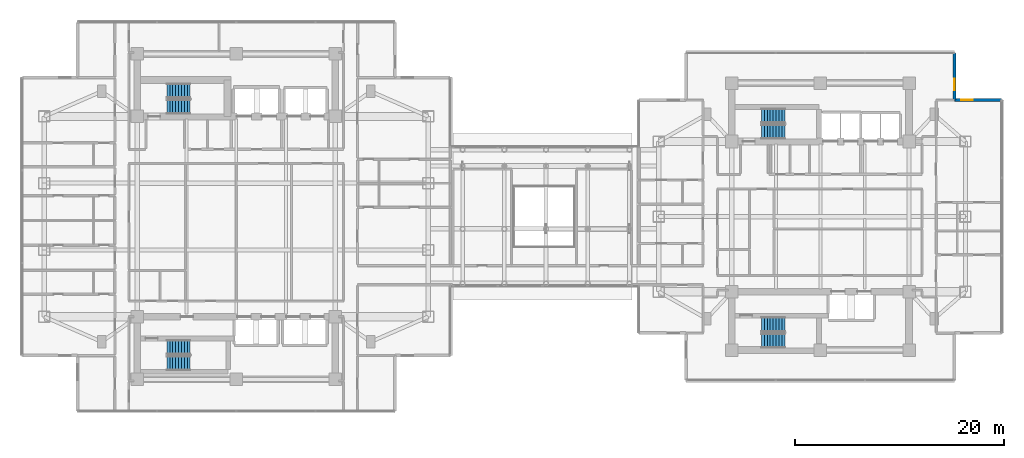
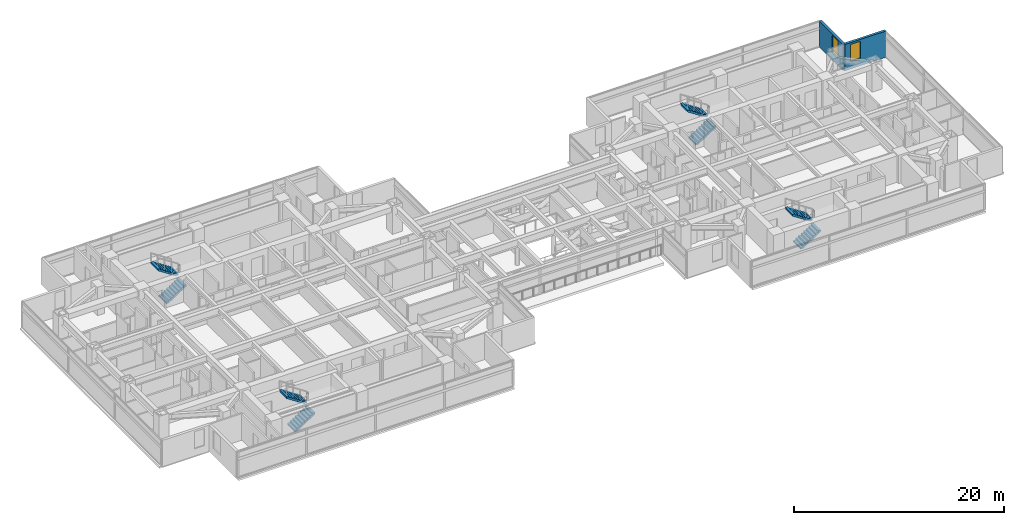
# One storey, part 22 of 28: 8 stair flights, 2 walls, 2 windows, 2 openings, 4 elements without a shape of their own.
"""IFC4 building model written with IfcOpenShell, lengths in metres."""

from ifc_helpers import new_model, si_unit, direction, frame, frame_2d, origin, place, context, subcontext, project, spatial, polyline, rectangle, outline, extrude, material, layer, layer_set, type_object, element, fill, aggregate, save


model = new_model("IFC4")

# Units and contexts
model_context = context("Model", 3, precision=1e-05, world=origin(), true_north=direction((0.0, 1.0)))
body_context = subcontext(model_context, "Body", "Model", "MODEL_VIEW")
ifc_project = project(units=[si_unit("LENGTHUNIT", "METRE"), si_unit("AREAUNIT", "SQUARE_METRE"), si_unit("VOLUMEUNIT", "CUBIC_METRE"), si_unit("PLANEANGLEUNIT", "RADIAN"), si_unit("MASSUNIT", "GRAM", prefix="KILO")], contexts=[model_context])

# Site, building, storey
site_placement = place(None, origin())
site = spatial("IfcSite", under=ifc_project, at=site_placement, CompositionType="ELEMENT")
building_placement = place(site_placement, origin())
building = spatial("IfcBuilding", under=site, at=building_placement, Name="Mirazonda Arch Towers", CompositionType="ELEMENT")
storey_placement = place(building_placement, frame((0.0, 0.0, 91.699951171875)))
storey = spatial("IfcBuildingStorey", under=building, at=storey_placement, Name="L25", CompositionType="ELEMENT", Elevation=91.699951171875)

# Wall, opening, window
ifc_material_1 = material(Name="Precast Concrete C40/50", Category="concrete")
ifc_layer = layer(ifc_material_1, 0.280029296875, Name="WALL-EXT-WALL-280")
ifc_layer_set = layer_set([ifc_layer], Name="Precast Concrete C40/50")
wall_type = type_object("IfcWallType", Name="WALL-EXT-WALL-280", PredefinedType="SOLIDWALL", material=ifc_layer_set)
wall_1_placement = place(storey_placement, frame((89.3642578125, 39.16455078125, 0.0), z_axis=(0.0, 0.0, 1.0), x_axis=(0.0, 1.0, 0.0)))
wall_1 = element("IfcWall", 1, at=wall_1_placement, inside=storey, type_object=wall_type, Name="L25 T2 Notched NE Corner Wall WL-L25-T2-CNE", PredefinedType="SOLIDWALL", context=body_context, shape_type="SweptSolid", body=[
    extrude(rectangle(XDim=4.516357421875, YDim=0.280029296875, at=frame_2d((2.25830078125, 0.0))), origin(), (0.0, 0.0, 1.0), 3.06005859375),
])
opening_1_placement = place(wall_1_placement, frame((0.949951171875, 0.0, 0.85009765625)))
opening_1 = element("IfcOpeningElement", 2, at=opening_1_placement, cuts=wall_1, Name="Opening WN-108", PredefinedType="OPENING", context=body_context, shape_type="SweptSolid", body=[
    extrude(rectangle(XDim=1.10009765625, YDim=2.0, at=frame_2d((0.550048828125, 1.0))), frame((0.0, 0.14990234375, 0.0), z_axis=(0.0, -1.0, 0.0), x_axis=(1.0, 0.0, 0.0)), (0.0, 0.0, 1.0), 0.300048828125),
])
ifc_material_2 = material(Name="Insulated Low-E Solar Glass", Category="glass")
window_type = type_object("IfcWindowType", Name="WIN-NOTCH-1100x2000", PartitioningType="SINGLE_PANEL", PredefinedType="WINDOW", material=ifc_material_2)
window_1_placement = place(opening_1_placement, origin())
window_1 = element("IfcWindow", 3, at=window_1_placement, inside=storey, type_object=window_type, Name="L25 Punched Facade Window WN-L25-T2-CNE", OverallHeight=2.0, OverallWidth=1.10009765625, PartitioningType="SINGLE_PANEL", PredefinedType="WINDOW", context=body_context, shape_type="SweptSolid", body=[
    extrude(rectangle(XDim=1.10009765625, YDim=2.0, at=frame_2d((0.550048828125, 1.0))), frame((0.0, 0.030029296875, 0.0), z_axis=(0.0, -1.0, 0.0), x_axis=(1.0, 0.0, 0.0)), (0.0, 0.0, 1.0), 0.06005859375),
])
fill(opening_1, window_1)

wall_2_placement = place(storey_placement, frame((93.880615234375, 39.16455078125, 0.0), z_axis=(0.0, 0.0, 1.0), x_axis=(-1.0, 0.0, 0.0)))
wall_2 = element("IfcWall", 4, at=wall_2_placement, inside=storey, type_object=wall_type, Name="L25 T2 Corner Notch Return Wall WL-L25-T2-CNE2", PredefinedType="SOLIDWALL", context=body_context, shape_type="SweptSolid", body=[
    extrude(rectangle(XDim=4.516357421875, YDim=0.280029296875, at=frame_2d((2.25830078125, 0.0))), origin(), (0.0, 0.0, 1.0), 3.06005859375),
])
opening_2_placement = place(wall_2_placement, frame((2.76611328125, 0.0, 0.85009765625)))
opening_2 = element("IfcOpeningElement", 5, at=opening_2_placement, cuts=wall_2, Name="Opening WN-108", PredefinedType="OPENING", context=body_context, shape_type="SweptSolid", body=[
    extrude(rectangle(XDim=1.10009765625, YDim=2.0, at=frame_2d((0.550048828125, 1.0))), frame((0.0, 0.14990234375, 0.0), z_axis=(0.0, -1.0, 0.0), x_axis=(1.0, 0.0, 0.0)), (0.0, 0.0, 1.0), 0.300048828125),
])
window_2_placement = place(opening_2_placement, origin())
window_2 = element("IfcWindow", 6, at=window_2_placement, inside=storey, type_object=window_type, Name="L25 Punched Facade Window WN-L25-T2-CNE2", OverallHeight=2.0, OverallWidth=1.10009765625, PartitioningType="SINGLE_PANEL", PredefinedType="WINDOW", context=body_context, shape_type="SweptSolid", body=[
    extrude(rectangle(XDim=1.10009765625, YDim=2.0, at=frame_2d((0.550048828125, 1.0))), frame((0.0, 0.030029296875, 0.0), z_axis=(0.0, -1.0, 0.0), x_axis=(1.0, 0.0, 0.0)), (0.0, 0.0, 1.0), 0.06005859375),
])
fill(opening_2, window_2)

# Stair, stair flights
ifc_material_3 = material(Name="Concrete C40/50", Category="concrete")
stair_type = type_object("IfcStairType", Name="STAIR-CORE-1400", PredefinedType="HALF_TURN_STAIR", material=ifc_material_3)
stair_1_placement = place(storey_placement, origin())
stair_1 = element("IfcStair", 7, at=stair_1_placement, inside=storey, type_object=stair_type, Name="L25 Protected Exit Stair ST-T1N", PredefinedType="HALF_TURN_STAIR")
stair_flight_type = type_object("IfcStairFlightType", Name="FLIGHT-1400", PredefinedType="STRAIGHT", material=ifc_material_3)
stair_flight_1_placement = place(storey_placement, frame((13.85009765625, 38.52001953125, 0.0), z_axis=(0.0, 0.0, 1.0), x_axis=(1.0, 0.0, 0.0)))
stair_flight_1 = element("IfcStairFlight", 8, at=stair_flight_1_placement, type_object=stair_flight_type, Name="ST-T1N flight 1", NumberOfRisers=9, NumberOfTreads=8, PredefinedType="STRAIGHT", RiserHeight=0.183333333, TreadLength=0.28, context=body_context, shape_type="SweptSolid", body=[
    extrude(outline(polyline([(0.0, 0.0), (0.0, 0.183349609375), (0.280029296875, 0.183349609375), (0.280029296875, 0.36669921875), (0.56005859375, 0.36669921875), (0.56005859375, 0.550048828125), (0.840087890625, 0.550048828125), (0.840087890625, 0.7333984375), (1.1201171875, 0.7333984375), (1.1201171875, 0.916748046875), (1.39990234375, 0.916748046875), (1.39990234375, 1.10009765625), (1.679931640625, 1.10009765625), (1.679931640625, 1.283447265625), (1.9599609375, 1.283447265625), (1.9599609375, 1.466552734375), (2.239990234375, 1.466552734375), (2.239990234375, 1.64990234375), (2.239990234375, 1.275634765625), (0.2919921875, 0.0), (0.0, 0.0)])), frame((0.0, 0.699951171875, 0.0), z_axis=(0.0, -1.0, 0.0), x_axis=(1.0, 0.0, 0.0)), (0.0, 0.0, 1.0), 1.39990234375),
])
stair_flight_2_placement = place(storey_placement, frame((16.090087890625, 40.06005859375, 1.650146484375), z_axis=(0.0, 0.0, 1.0), x_axis=(-1.0, 0.0, 0.0)))
stair_flight_2 = element("IfcStairFlight", 9, at=stair_flight_2_placement, type_object=stair_flight_type, Name="ST-T1N flight 2", NumberOfRisers=9, NumberOfTreads=8, PredefinedType="STRAIGHT", RiserHeight=0.183333333, TreadLength=0.28, context=body_context, shape_type="SweptSolid", body=[
    extrude(outline(polyline([(0.0, 0.0), (0.0, 0.183349609375), (0.280029296875, 0.183349609375), (0.280029296875, 0.36669921875), (0.56005859375, 0.36669921875), (0.56005859375, 0.550048828125), (0.840087890625, 0.550048828125), (0.840087890625, 0.7333984375), (1.1201171875, 0.7333984375), (1.1201171875, 0.916748046875), (1.39990234375, 0.916748046875), (1.39990234375, 1.10009765625), (1.679931640625, 1.10009765625), (1.679931640625, 1.283447265625), (1.9599609375, 1.283447265625), (1.9599609375, 1.466552734375), (2.239990234375, 1.466552734375), (2.239990234375, 1.64990234375), (2.239990234375, 1.275634765625), (0.2919921875, 0.0), (0.0, 0.0)])), frame((0.0, 0.699951171875, 0.0), z_axis=(0.0, -1.0, 0.0), x_axis=(1.0, 0.0, 0.0)), (0.0, 0.0, 1.0), 1.39990234375),
])
aggregate(stair_1, [stair_flight_1, stair_flight_2])

stair_2_placement = place(storey_placement, origin())
stair_2 = element("IfcStair", 10, at=stair_2_placement, inside=storey, type_object=stair_type, Name="L25 Protected Exit Stair ST-T1S", PredefinedType="HALF_TURN_STAIR")
stair_flight_3_placement = place(storey_placement, frame((13.85009765625, 13.949951171875, 0.0), z_axis=(0.0, 0.0, 1.0), x_axis=(1.0, 0.0, 0.0)))
stair_flight_3 = element("IfcStairFlight", 11, at=stair_flight_3_placement, type_object=stair_flight_type, Name="ST-T1S flight 1", NumberOfRisers=9, NumberOfTreads=8, PredefinedType="STRAIGHT", RiserHeight=0.183333333, TreadLength=0.28, context=body_context, shape_type="SweptSolid", body=[
    extrude(outline(polyline([(0.0, 0.0), (0.0, 0.183349609375), (0.280029296875, 0.183349609375), (0.280029296875, 0.36669921875), (0.56005859375, 0.36669921875), (0.56005859375, 0.550048828125), (0.840087890625, 0.550048828125), (0.840087890625, 0.7333984375), (1.1201171875, 0.7333984375), (1.1201171875, 0.916748046875), (1.39990234375, 0.916748046875), (1.39990234375, 1.10009765625), (1.679931640625, 1.10009765625), (1.679931640625, 1.283447265625), (1.9599609375, 1.283447265625), (1.9599609375, 1.466552734375), (2.239990234375, 1.466552734375), (2.239990234375, 1.64990234375), (2.239990234375, 1.275634765625), (0.2919921875, 0.0), (0.0, 0.0)])), frame((0.0, 0.699951171875, 0.0), z_axis=(0.0, -1.0, 0.0), x_axis=(1.0, 0.0, 0.0)), (0.0, 0.0, 1.0), 1.39990234375),
])
stair_flight_4_placement = place(storey_placement, frame((16.090087890625, 15.489990234375, 1.650146484375), z_axis=(0.0, 0.0, 1.0), x_axis=(-1.0, 0.0, 0.0)))
stair_flight_4 = element("IfcStairFlight", 12, at=stair_flight_4_placement, type_object=stair_flight_type, Name="ST-T1S flight 2", NumberOfRisers=9, NumberOfTreads=8, PredefinedType="STRAIGHT", RiserHeight=0.183333333, TreadLength=0.28, context=body_context, shape_type="SweptSolid", body=[
    extrude(outline(polyline([(0.0, 0.0), (0.0, 0.183349609375), (0.280029296875, 0.183349609375), (0.280029296875, 0.36669921875), (0.56005859375, 0.36669921875), (0.56005859375, 0.550048828125), (0.840087890625, 0.550048828125), (0.840087890625, 0.7333984375), (1.1201171875, 0.7333984375), (1.1201171875, 0.916748046875), (1.39990234375, 0.916748046875), (1.39990234375, 1.10009765625), (1.679931640625, 1.10009765625), (1.679931640625, 1.283447265625), (1.9599609375, 1.283447265625), (1.9599609375, 1.466552734375), (2.239990234375, 1.466552734375), (2.239990234375, 1.64990234375), (2.239990234375, 1.275634765625), (0.2919921875, 0.0), (0.0, 0.0)])), frame((0.0, 0.699951171875, 0.0), z_axis=(0.0, -1.0, 0.0), x_axis=(1.0, 0.0, 0.0)), (0.0, 0.0, 1.0), 1.39990234375),
])
aggregate(stair_2, [stair_flight_3, stair_flight_4])

stair_3_placement = place(storey_placement, origin())
stair_3 = element("IfcStair", 13, at=stair_3_placement, inside=storey, type_object=stair_type, Name="L25 Protected Exit Stair ST-T2N", PredefinedType="HALF_TURN_STAIR")
stair_flight_5_placement = place(storey_placement, frame((70.85009765625, 36.1201171875, 0.0), z_axis=(0.0, 0.0, 1.0), x_axis=(1.0, 0.0, 0.0)))
stair_flight_5 = element("IfcStairFlight", 14, at=stair_flight_5_placement, type_object=stair_flight_type, Name="ST-T2N flight 1", NumberOfRisers=9, NumberOfTreads=8, PredefinedType="STRAIGHT", RiserHeight=0.183333333, TreadLength=0.28, context=body_context, shape_type="SweptSolid", body=[
    extrude(outline(polyline([(0.0, 0.0), (0.0, 0.183349609375), (0.280029296875, 0.183349609375), (0.280029296875, 0.36669921875), (0.56005859375, 0.36669921875), (0.56005859375, 0.550048828125), (0.840087890625, 0.550048828125), (0.840087890625, 0.7333984375), (1.1201171875, 0.7333984375), (1.1201171875, 0.916748046875), (1.39990234375, 0.916748046875), (1.39990234375, 1.10009765625), (1.679931640625, 1.10009765625), (1.679931640625, 1.283447265625), (1.9599609375, 1.283447265625), (1.9599609375, 1.466552734375), (2.239990234375, 1.466552734375), (2.239990234375, 1.64990234375), (2.239990234375, 1.275634765625), (0.2919921875, 0.0), (0.0, 0.0)])), frame((0.0, 0.699951171875, 0.0), z_axis=(0.0, -1.0, 0.0), x_axis=(1.0, 0.0, 0.0)), (0.0, 0.0, 1.0), 1.39990234375),
])
stair_flight_6_placement = place(storey_placement, frame((73.090087890625, 37.659912109375, 1.650146484375), z_axis=(0.0, 0.0, 1.0), x_axis=(-1.0, 0.0, 0.0)))
stair_flight_6 = element("IfcStairFlight", 15, at=stair_flight_6_placement, type_object=stair_flight_type, Name="ST-T2N flight 2", NumberOfRisers=9, NumberOfTreads=8, PredefinedType="STRAIGHT", RiserHeight=0.183333333, TreadLength=0.28, context=body_context, shape_type="SweptSolid", body=[
    extrude(outline(polyline([(0.0, 0.0), (0.0, 0.183349609375), (0.280029296875, 0.183349609375), (0.280029296875, 0.36669921875), (0.56005859375, 0.36669921875), (0.56005859375, 0.550048828125), (0.840087890625, 0.550048828125), (0.840087890625, 0.7333984375), (1.1201171875, 0.7333984375), (1.1201171875, 0.916748046875), (1.39990234375, 0.916748046875), (1.39990234375, 1.10009765625), (1.679931640625, 1.10009765625), (1.679931640625, 1.283447265625), (1.9599609375, 1.283447265625), (1.9599609375, 1.466552734375), (2.239990234375, 1.466552734375), (2.239990234375, 1.64990234375), (2.239990234375, 1.275634765625), (0.2919921875, 0.0), (0.0, 0.0)])), frame((0.0, 0.699951171875, 0.0), z_axis=(0.0, -1.0, 0.0), x_axis=(1.0, 0.0, 0.0)), (0.0, 0.0, 1.0), 1.39990234375),
])
aggregate(stair_3, [stair_flight_5, stair_flight_6])

stair_4_placement = place(storey_placement, origin())
stair_4 = element("IfcStair", 16, at=stair_4_placement, inside=storey, type_object=stair_type, Name="L25 Protected Exit Stair ST-T2S", PredefinedType="HALF_TURN_STAIR")
stair_flight_7_placement = place(storey_placement, frame((70.85009765625, 16.1201171875, 0.0), z_axis=(0.0, 0.0, 1.0), x_axis=(1.0, 0.0, 0.0)))
stair_flight_7 = element("IfcStairFlight", 17, at=stair_flight_7_placement, type_object=stair_flight_type, Name="ST-T2S flight 1", NumberOfRisers=9, NumberOfTreads=8, PredefinedType="STRAIGHT", RiserHeight=0.183333333, TreadLength=0.28, context=body_context, shape_type="SweptSolid", body=[
    extrude(outline(polyline([(0.0, 0.0), (0.0, 0.183349609375), (0.280029296875, 0.183349609375), (0.280029296875, 0.36669921875), (0.56005859375, 0.36669921875), (0.56005859375, 0.550048828125), (0.840087890625, 0.550048828125), (0.840087890625, 0.7333984375), (1.1201171875, 0.7333984375), (1.1201171875, 0.916748046875), (1.39990234375, 0.916748046875), (1.39990234375, 1.10009765625), (1.679931640625, 1.10009765625), (1.679931640625, 1.283447265625), (1.9599609375, 1.283447265625), (1.9599609375, 1.466552734375), (2.239990234375, 1.466552734375), (2.239990234375, 1.64990234375), (2.239990234375, 1.275634765625), (0.2919921875, 0.0), (0.0, 0.0)])), frame((0.0, 0.699951171875, 0.0), z_axis=(0.0, -1.0, 0.0), x_axis=(1.0, 0.0, 0.0)), (0.0, 0.0, 1.0), 1.39990234375),
])
stair_flight_8_placement = place(storey_placement, frame((73.090087890625, 17.659912109375, 1.650146484375), z_axis=(0.0, 0.0, 1.0), x_axis=(-1.0, 0.0, 0.0)))
stair_flight_8 = element("IfcStairFlight", 18, at=stair_flight_8_placement, type_object=stair_flight_type, Name="ST-T2S flight 2", NumberOfRisers=9, NumberOfTreads=8, PredefinedType="STRAIGHT", RiserHeight=0.183333333, TreadLength=0.28, context=body_context, shape_type="SweptSolid", body=[
    extrude(outline(polyline([(0.0, 0.0), (0.0, 0.183349609375), (0.280029296875, 0.183349609375), (0.280029296875, 0.36669921875), (0.56005859375, 0.36669921875), (0.56005859375, 0.550048828125), (0.840087890625, 0.550048828125), (0.840087890625, 0.7333984375), (1.1201171875, 0.7333984375), (1.1201171875, 0.916748046875), (1.39990234375, 0.916748046875), (1.39990234375, 1.10009765625), (1.679931640625, 1.10009765625), (1.679931640625, 1.283447265625), (1.9599609375, 1.283447265625), (1.9599609375, 1.466552734375), (2.239990234375, 1.466552734375), (2.239990234375, 1.64990234375), (2.239990234375, 1.275634765625), (0.2919921875, 0.0), (0.0, 0.0)])), frame((0.0, 0.699951171875, 0.0), z_axis=(0.0, -1.0, 0.0), x_axis=(1.0, 0.0, 0.0)), (0.0, 0.0, 1.0), 1.39990234375),
])
aggregate(stair_4, [stair_flight_7, stair_flight_8])

save(model, "model.ifc")
